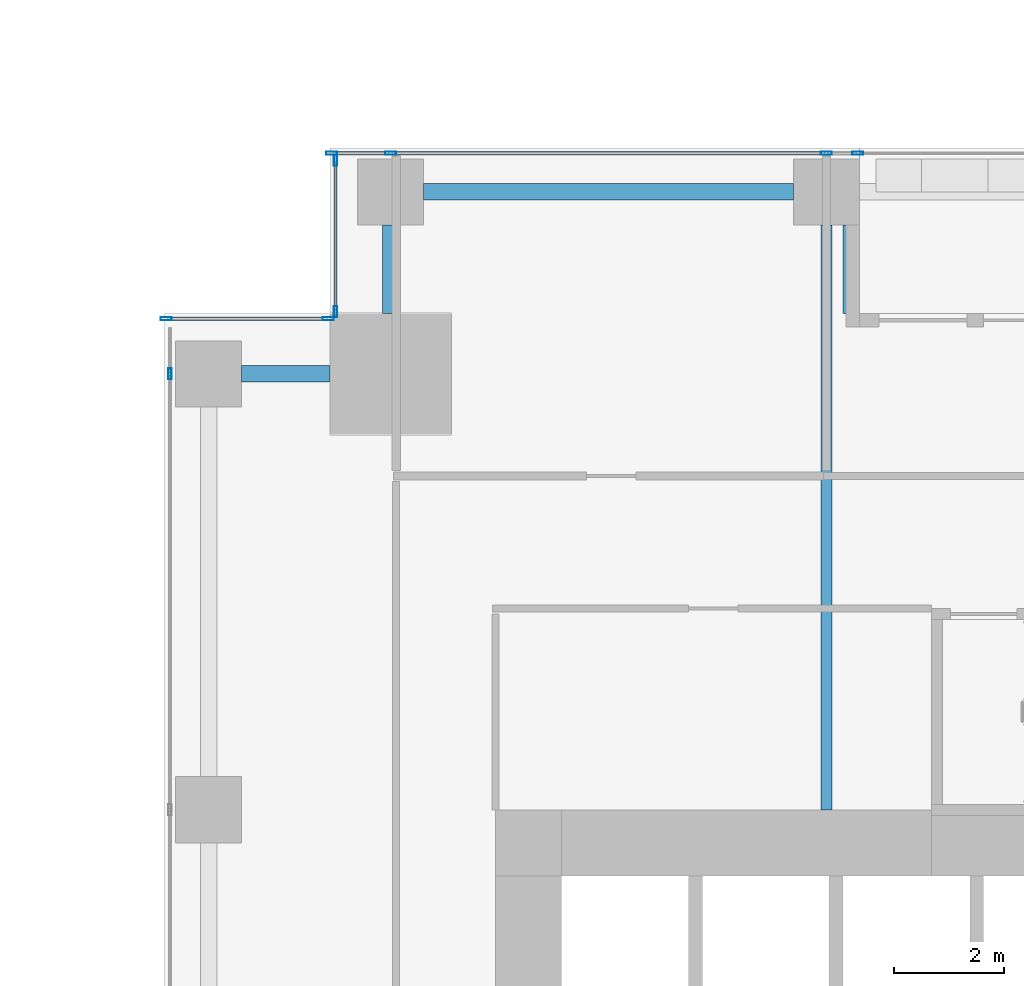
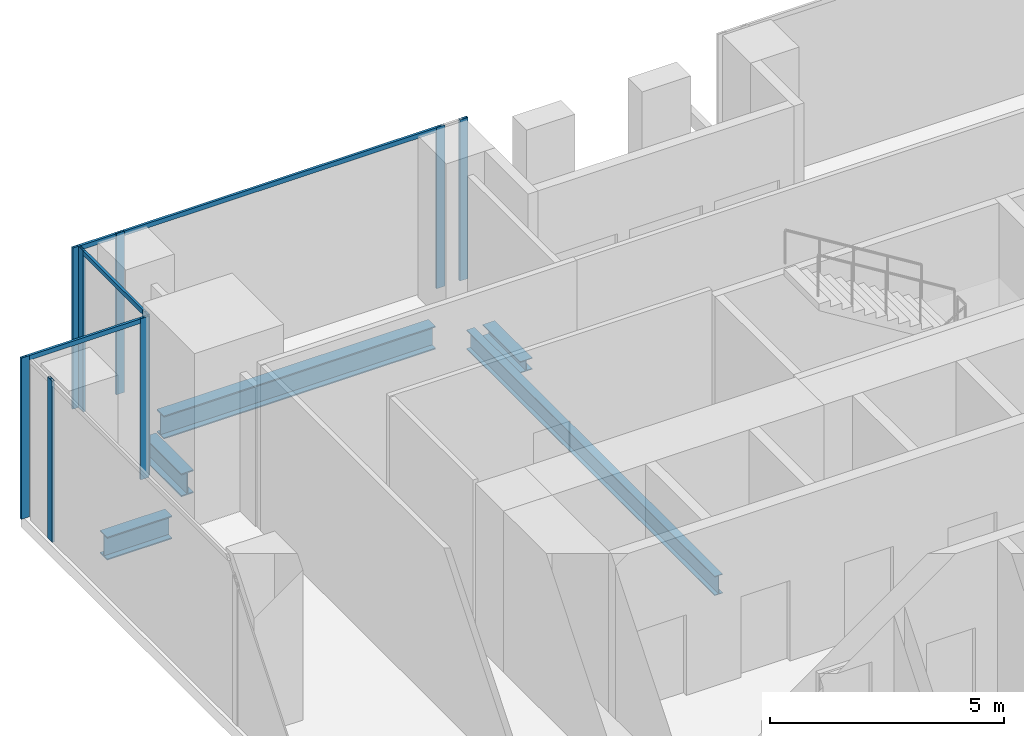
# One storey, part 14 of 33: 13 members, 5 beams, 4 elements without a shape of their own.
"""IFC4 building model written with IfcOpenShell, lengths in metres."""

from ifc_helpers import new_model, si_unit, direction, frame, origin, origin_2d, place, context, subcontext, project, spatial, hollow_rectangle, i_section, extrude, source, transform, mapped, material, material_profile, profile_set, type_object, element, aggregate, save


model = new_model("IFC4")

# Units and contexts
model_context = context("Model", 3, precision=1e-05, world=origin(), true_north=direction((0.0, 1.0)))
body_context = subcontext(model_context, "Body", "Model", "MODEL_VIEW")
ifc_project = project(units=[si_unit("LENGTHUNIT", "METRE"), si_unit("AREAUNIT", "SQUARE_METRE"), si_unit("VOLUMEUNIT", "CUBIC_METRE"), si_unit("PLANEANGLEUNIT", "RADIAN"), si_unit("MASSUNIT", "GRAM", prefix="KILO")], contexts=[model_context])

# Site, building, storey
site_placement = place(None, origin())
site = spatial("IfcSite", under=ifc_project, at=site_placement, CompositionType="ELEMENT")
building_placement = place(site_placement, origin())
building = spatial("IfcBuilding", under=site, at=building_placement, Name="Khomas Fold Tower", CompositionType="ELEMENT")
storey_placement = place(building_placement, frame((0.0, 0.0, 82.5)))
storey = spatial("IfcBuildingStorey", under=building, at=storey_placement, Name="L17", CompositionType="ELEMENT", Elevation=82.5)

# Beams
ifc_material_1 = material(Name="Steel S355", Category="steel")
ifc_material_profile_1 = material_profile(ifc_material_1, i_section(OverallWidth=0.199951171875, OverallDepth=0.5, WebThickness=0.01025390625, FlangeThickness=0.01611328125, at=origin_2d()), Name="IPE 500")
ifc_profile_set_1 = profile_set([ifc_material_profile_1], Name="Steel S355")
beam_type_1 = type_object("IfcBeamType", Name="IPE 500 beam JB5", PredefinedType="BEAM", material=ifc_profile_set_1)
shared_shape_1 = source(origin(), body_context, "Body", "SweptSolid", [
    extrude(i_section(OverallWidth=0.199951171875, OverallDepth=0.5, WebThickness=0.01025390625, FlangeThickness=0.01611328125, at=origin_2d()), origin(), (0.0, 0.0, 1.0), 10.60009765625),
])
beam_1_placement = place(storey_placement, frame((12.0, 42.0, -0.550048828125), z_axis=(0.0, 1.0, 0.0), x_axis=(-1.0, 0.0, 0.0)))
element("IfcBeam", 1, at=beam_1_placement, inside=storey, type_object=beam_type_1, Name="JB5", PredefinedType="BEAM", context=body_context, shape_type="MappedRepresentation", body=[
    mapped(shared_shape_1, transform((0.0, 0.0, 0.0))),
])
ifc_material_2 = material(Name="Steel S355", Category="steel")
ifc_material_profile_2 = material_profile(ifc_material_2, i_section(OverallWidth=0.300048828125, OverallDepth=0.60009765625, WebThickness=0.015380859375, FlangeThickness=0.030029296875, at=origin_2d()), Name="HE 600 B")
ifc_profile_set_2 = profile_set([ifc_material_profile_2], Name="Steel S355")
beam_type_2 = type_object("IfcBeamType", Name="HE 600 B spandrel SB1", PredefinedType="SPANDREL", material=ifc_profile_set_2)
shared_shape_2 = source(origin(), body_context, "Body", "SweptSolid", [
    extrude(i_section(OverallWidth=0.300048828125, OverallDepth=0.60009765625, WebThickness=0.015380859375, FlangeThickness=0.030029296875, at=origin_2d()), origin(), (0.0, 0.0, 1.0), 6.699951171875),
])
beam_2_placement = place(storey_placement, frame((4.699951171875, 53.199951171875, -0.60009765625), z_axis=(1.0, 0.0, 0.0), x_axis=(0.0, 1.0, 0.0)))
element("IfcBeam", 2, at=beam_2_placement, inside=storey, type_object=beam_type_2, Name="SB1", PredefinedType="SPANDREL", context=body_context, shape_type="MappedRepresentation", body=[
    mapped(shared_shape_2, transform((0.0, 0.0, 0.0))),
])
shared_shape_3 = source(origin(), body_context, "Body", "SweptSolid", [
    extrude(i_section(OverallWidth=0.300048828125, OverallDepth=0.60009765625, WebThickness=0.015380859375, FlangeThickness=0.030029296875, at=origin_2d()), origin(), (0.0, 0.0, 1.0), 1.60009765625),
])
for number, where, z_axis, x_axis, name in (
    (3, (4.10009765625, 51.0, -0.60009765625), (0.0, 1.0, 0.0), (-1.0, 0.0, 0.0), "SB1"),
    (4, (1.39990234375, 49.89990234375, -0.60009765625), (1.0, 0.0, 0.0), (0.0, 1.0, 0.0), "SB1"),
):
    element("IfcBeam", number, at=place(storey_placement, frame(where, z_axis=z_axis, x_axis=x_axis)), inside=storey, type_object=beam_type_2, Name=name, PredefinedType="SPANDREL", context=body_context, shape_type="MappedRepresentation", body=[
        mapped(shared_shape_3, transform((0.0, 0.0, 0.0))),
    ])
ifc_material_3 = material(Name="Steel S355", Category="steel")
ifc_material_profile_3 = material_profile(ifc_material_3, i_section(OverallWidth=0.300048828125, OverallDepth=0.300048828125, WebThickness=0.010986328125, FlangeThickness=0.01904296875, at=origin_2d()), Name="HE 300 B")
ifc_profile_set_3 = profile_set([ifc_material_profile_3], Name="Steel S355")
beam_type_3 = type_object("IfcBeamType", Name="HE 300 B beam BB1", PredefinedType="BEAM", material=ifc_profile_set_3)
shared_shape_4 = source(origin(), body_context, "Body", "SweptSolid", [
    extrude(i_section(OverallWidth=0.300048828125, OverallDepth=0.300048828125, WebThickness=0.010986328125, FlangeThickness=0.01904296875, at=origin_2d()), origin(), (0.0, 0.0, 1.0), 1.60009765625),
])
beam_3_placement = place(storey_placement, frame((12.449951171875, 51.0, -0.449951171875), z_axis=(0.0, 1.0, 0.0), x_axis=(-1.0, 0.0, 0.0)))
element("IfcBeam", 5, at=beam_3_placement, inside=storey, type_object=beam_type_3, Name="BB1", PredefinedType="BEAM", context=body_context, shape_type="MappedRepresentation", body=[
    mapped(shared_shape_4, transform((0.0, 0.0, 0.0))),
])

# Curtain wall, members
ifc_material_4 = material(Name="Aluminium framed double glazing", Category="aluminium")
curtain_wall_type = type_object("IfcCurtainWallType", Name="SK-Unitised clear-glass wall, growing floors CW1", PredefinedType="NOTDEFINED", material=ifc_material_4)
curtain_wall_1_placement = place(storey_placement, origin())
curtain_wall_1 = element("IfcCurtainWall", 6, at=curtain_wall_1_placement, inside=storey, type_object=curtain_wall_type, Name="CW1 run L17 06-1", PredefinedType="NOTDEFINED")
ifc_material_5 = material(Name="Aluminium", Category="aluminium")
ifc_material_profile_4 = material_profile(ifc_material_5, hollow_rectangle(XDim=0.06005859375, YDim=0.1201171875, WallThickness=0.00390625, at=origin_2d()), Name="SK-Unitised clear-glass wall, growing floors transom CW1-T")
ifc_profile_set_4 = profile_set([ifc_material_profile_4], Name="Aluminium")
member_type_1 = type_object("IfcMemberType", Name="SK-Unitised clear-glass wall, growing floors transom CW1-T", PredefinedType="USERDEFINED", material=ifc_profile_set_4)
shared_shape_5 = source(origin(), body_context, "Body", "SweptSolid", [
    extrude(hollow_rectangle(XDim=0.06005859375, YDim=0.1201171875, WallThickness=0.00390625, at=origin_2d()), origin(), (0.0, 0.0, 1.0), 7.840087890625),
])
member_1_placement = place(storey_placement, frame((11.969970703125, 53.89990234375, 4.139892578125), z_axis=(-1.0, 0.0, 0.0), x_axis=(0.0, -1.0, 0.0)))
member_1 = element("IfcMember", 7, at=member_1_placement, type_object=member_type_1, Name="CW1 transom 2", ObjectType="TRANSOM", PredefinedType="USERDEFINED", context=body_context, shape_type="MappedRepresentation", body=[
    mapped(shared_shape_5, transform((0.0, 0.0, 0.0))),
])
shared_shape_6 = source(origin(), body_context, "Body", "SweptSolid", [
    extrude(hollow_rectangle(XDim=0.06005859375, YDim=0.1201171875, WallThickness=0.00390625, at=origin_2d()), origin(), (0.0, 0.0, 1.0), 1.010009765625),
])
member_2_placement = place(storey_placement, frame((4.070068359375, 53.89990234375, 4.139892578125), z_axis=(-1.0, 0.0, 0.0), x_axis=(0.0, -1.0, 0.0)))
member_2 = element("IfcMember", 8, at=member_2_placement, type_object=member_type_1, Name="CW1 transom 3", ObjectType="TRANSOM", PredefinedType="USERDEFINED", context=body_context, shape_type="MappedRepresentation", body=[
    mapped(shared_shape_6, transform((0.0, 0.0, 0.0))),
])

# Curtain wall, member
curtain_wall_2_placement = place(storey_placement, origin())
curtain_wall_2 = element("IfcCurtainWall", 9, at=curtain_wall_2_placement, inside=storey, type_object=curtain_wall_type, Name="CW1 corner return L17 07", PredefinedType="NOTDEFINED")
shared_shape_7 = source(origin(), body_context, "Body", "SweptSolid", [
    extrude(hollow_rectangle(XDim=0.06005859375, YDim=0.1201171875, WallThickness=0.00390625, at=origin_2d()), origin(), (0.0, 0.0, 1.0), 2.679931640625),
])
member_3_placement = place(storey_placement, frame((3.10009765625, 53.739990234375, 4.139892578125), z_axis=(0.0, -1.0, 0.0), x_axis=(1.0, 0.0, 0.0)))
member_3 = element("IfcMember", 10, at=member_3_placement, type_object=member_type_1, Name="CW1 transom 1", ObjectType="TRANSOM", PredefinedType="USERDEFINED", context=body_context, shape_type="MappedRepresentation", body=[
    mapped(shared_shape_7, transform((0.0, 0.0, 0.0))),
])

curtain_wall_3_placement = place(storey_placement, origin())
curtain_wall_3 = element("IfcCurtainWall", 11, at=curtain_wall_3_placement, inside=storey, type_object=curtain_wall_type, Name="CW1 corner return L17 08", PredefinedType="NOTDEFINED")
shared_shape_8 = source(origin(), body_context, "Body", "SweptSolid", [
    extrude(hollow_rectangle(XDim=0.06005859375, YDim=0.1201171875, WallThickness=0.00390625, at=origin_2d()), origin(), (0.0, 0.0, 1.0), 2.8798828125),
])
member_4_placement = place(storey_placement, frame((2.93994140625, 50.89990234375, 4.139892578125), z_axis=(-1.0, 0.0, 0.0), x_axis=(0.0, -1.0, 0.0)))
member_4 = element("IfcMember", 12, at=member_4_placement, type_object=member_type_1, Name="CW1 transom 1", ObjectType="TRANSOM", PredefinedType="USERDEFINED", context=body_context, shape_type="MappedRepresentation", body=[
    mapped(shared_shape_8, transform((0.0, 0.0, 0.0))),
])

# Member
ifc_material_6 = material(Name="Aluminium", Category="aluminium")
ifc_material_profile_5 = material_profile(ifc_material_6, hollow_rectangle(XDim=0.06005859375, YDim=0.199951171875, WallThickness=0.00390625, at=origin_2d()), Name="SK-Unitised clear-glass wall, growing floors mullion CW1-M")
ifc_profile_set_5 = profile_set([ifc_material_profile_5], Name="Aluminium")
member_type_2 = type_object("IfcMemberType", Name="SK-Unitised clear-glass wall, growing floors mullion CW1-M", PredefinedType="MULLION", material=ifc_profile_set_5)
shared_shape_9 = source(origin(), body_context, "Body", "SweptSolid", [
    extrude(hollow_rectangle(XDim=0.06005859375, YDim=0.199951171875, WallThickness=0.00390625, at=origin_2d()), origin(), (0.0, 0.0, 1.0), 4.199951171875),
])
member_5_placement = place(storey_placement, frame((12.570068359375, 53.89990234375, 0.0), z_axis=(0.0, 0.0, 1.0), x_axis=(0.0, -1.0, 0.0)))
member_5 = element("IfcMember", 13, at=member_5_placement, type_object=member_type_2, Name="CW1 mullion 1", PredefinedType="MULLION", context=body_context, shape_type="MappedRepresentation", body=[
    mapped(shared_shape_9, transform((0.0, 0.0, 0.0))),
])

member_6_placement = place(storey_placement, frame((12.0, 53.89990234375, 0.0), z_axis=(0.0, 0.0, 1.0), x_axis=(0.0, -1.0, 0.0)))
member_6 = element("IfcMember", 14, at=member_6_placement, type_object=member_type_2, Name="CW1 mullion 2", PredefinedType="MULLION", context=body_context, shape_type="MappedRepresentation", body=[
    mapped(shared_shape_9, transform((0.0, 0.0, 0.0))),
])

member_7_placement = place(storey_placement, frame((4.10009765625, 53.89990234375, 0.0), z_axis=(0.0, 0.0, 1.0), x_axis=(0.0, -1.0, 0.0)))
member_7 = element("IfcMember", 15, at=member_7_placement, type_object=member_type_2, Name="CW1 mullion 3", PredefinedType="MULLION", context=body_context, shape_type="MappedRepresentation", body=[
    mapped(shared_shape_9, transform((0.0, 0.0, 0.0))),
])

member_8_placement = place(storey_placement, frame((3.030029296875, 53.89990234375, 0.0), z_axis=(0.0, 0.0, 1.0), x_axis=(0.0, -1.0, 0.0)))
member_8 = element("IfcMember", 16, at=member_8_placement, type_object=member_type_2, Name="CW1 mullion 4", PredefinedType="MULLION", context=body_context, shape_type="MappedRepresentation", body=[
    mapped(shared_shape_9, transform((0.0, 0.0, 0.0))),
])

aggregate(curtain_wall_1, [member_5, member_6, member_7, member_8, member_1, member_2])

member_9_placement = place(storey_placement, frame((3.10009765625, 53.77001953125, 0.0), z_axis=(0.0, 0.0, 1.0), x_axis=(1.0, 0.0, 0.0)))
member_9 = element("IfcMember", 17, at=member_9_placement, type_object=member_type_2, Name="CW1 mullion 1", PredefinedType="MULLION", context=body_context, shape_type="MappedRepresentation", body=[
    mapped(shared_shape_9, transform((0.0, 0.0, 0.0))),
])

member_10_placement = place(storey_placement, frame((3.10009765625, 51.030029296875, 0.0), z_axis=(0.0, 0.0, 1.0), x_axis=(1.0, 0.0, 0.0)))
member_10 = element("IfcMember", 18, at=member_10_placement, type_object=member_type_2, Name="CW1 mullion 2", PredefinedType="MULLION", context=body_context, shape_type="MappedRepresentation", body=[
    mapped(shared_shape_9, transform((0.0, 0.0, 0.0))),
])

aggregate(curtain_wall_2, [member_9, member_10, member_3])

member_11_placement = place(storey_placement, frame((2.969970703125, 50.89990234375, 0.0), z_axis=(0.0, 0.0, 1.0), x_axis=(0.0, -1.0, 0.0)))
member_11 = element("IfcMember", 19, at=member_11_placement, type_object=member_type_2, Name="CW1 mullion 1", PredefinedType="MULLION", context=body_context, shape_type="MappedRepresentation", body=[
    mapped(shared_shape_9, transform((0.0, 0.0, 0.0))),
])

member_12_placement = place(storey_placement, frame((0.030029296875, 50.89990234375, 0.0), z_axis=(0.0, 0.0, 1.0), x_axis=(0.0, -1.0, 0.0)))
member_12 = element("IfcMember", 20, at=member_12_placement, type_object=member_type_2, Name="CW1 mullion 2", PredefinedType="MULLION", context=body_context, shape_type="MappedRepresentation", body=[
    mapped(shared_shape_9, transform((0.0, 0.0, 0.0))),
])

aggregate(curtain_wall_3, [member_11, member_12, member_4])

# Curtain wall, member
curtain_wall_4_placement = place(storey_placement, origin())
curtain_wall_4 = element("IfcCurtainWall", 21, at=curtain_wall_4_placement, inside=storey, type_object=curtain_wall_type, Name="CW1 run L17 09-0", PredefinedType="NOTDEFINED")
member_13_placement = place(storey_placement, frame((0.10009765625, 49.89990234375, 0.0), z_axis=(0.0, 0.0, 1.0), x_axis=(1.0, 0.0, 0.0)))
member_13 = element("IfcMember", 22, at=member_13_placement, type_object=member_type_2, Name="CW1 mullion 2", PredefinedType="MULLION", context=body_context, shape_type="MappedRepresentation", body=[
    mapped(shared_shape_9, transform((0.0, 0.0, 0.0))),
])
aggregate(curtain_wall_4, [member_13])

save(model, "model.ifc")
